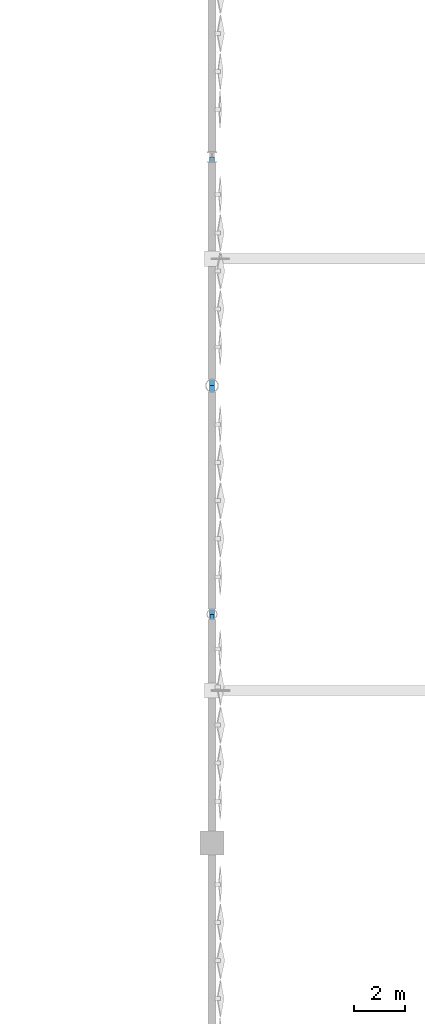
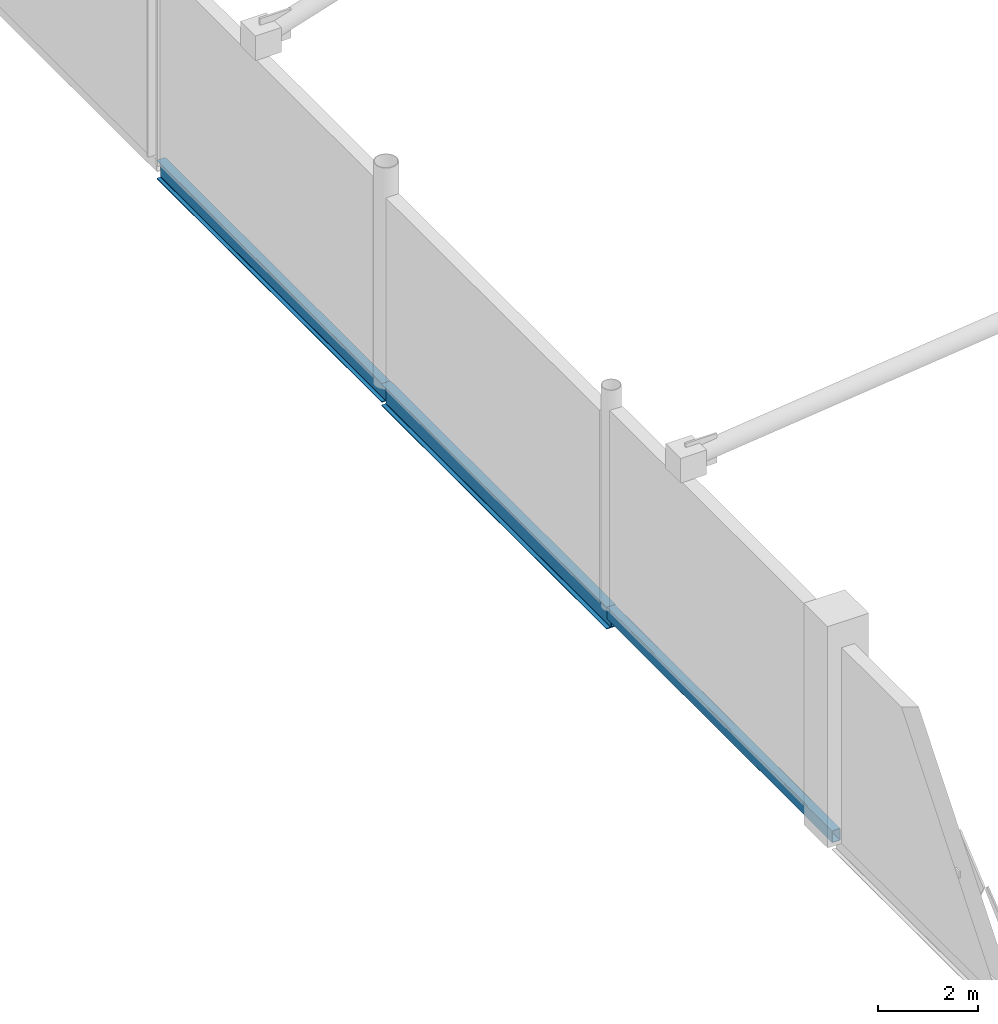
# One storey, part 36 of 119: 3 beams.
"""IFC4 building model written with IfcOpenShell, lengths in metres."""

from ifc_helpers import new_model, si_unit, direction, frame, origin, origin_2d, place, context, subcontext, project, spatial, hollow_rectangle, i_section, extrude, material, material_profile, profile_set, type_object, element, save


model = new_model("IFC4")

# Units and contexts
model_context = context("Model", 3, precision=1e-05, world=origin(), true_north=direction((0.0, 1.0)))
body_context = subcontext(model_context, "Body", "Model", "MODEL_VIEW")
ifc_project = project(units=[si_unit("LENGTHUNIT", "METRE"), si_unit("AREAUNIT", "SQUARE_METRE"), si_unit("VOLUMEUNIT", "CUBIC_METRE"), si_unit("PLANEANGLEUNIT", "RADIAN"), si_unit("MASSUNIT", "GRAM", prefix="KILO")], contexts=[model_context])

# Site, building, storey
site_placement = place(None, origin())
site = spatial("IfcSite", under=ifc_project, at=site_placement, CompositionType="ELEMENT")
building_placement = place(site_placement, origin())
building = spatial("IfcBuilding", under=site, at=building_placement, Name="Qamarlyn Nura Convention Centre", CompositionType="ELEMENT")
storey_placement = place(building_placement, frame((0.0, 0.0, 5.39990234375)))
storey = spatial("IfcBuildingStorey", under=building, at=storey_placement, Name="L01", CompositionType="ELEMENT", Elevation=5.39990234375)

# Beams
ifc_material_1 = material(Name="Steel ASTM A992", Category="steel")
ifc_material_profile_1 = material_profile(ifc_material_1, i_section(OverallWidth=0.193115234375, OverallDepth=0.466064453125, WebThickness=0.011474609375, FlangeThickness=0.01904296875, FilletRadius=0.012939453125, at=origin_2d()), Name="W460X97")
ifc_profile_set_1 = profile_set([ifc_material_profile_1], Name="Steel ASTM A992")
beam_type_1 = type_object("IfcBeamType", Name="BM-SPAN-460", PredefinedType="SPANDREL", material=ifc_profile_set_1)
beam_1_placement = place(storey_placement, frame((120.0, 81.0, -0.23291015625), z_axis=(0.0, 1.0, 0.0), x_axis=(-1.0, 0.0, 0.0)))
element("IfcBeam", 1, at=beam_1_placement, inside=storey, type_object=beam_type_1, Name="L01 girder 9 K-L", PredefinedType="SPANDREL", context=body_context, shape_type="SweptSolid", body=[
    extrude(i_section(OverallWidth=0.193115234375, OverallDepth=0.466064453125, WebThickness=0.011474609375, FlangeThickness=0.01904296875, FilletRadius=0.012939453125, at=origin_2d()), origin(), (0.0, 0.0, 1.0), 9.0),
])
ifc_material_profile_2 = material_profile(ifc_material_1, i_section(OverallWidth=0.2109375, OverallDepth=0.5390625, WebThickness=0.01171875, FlangeThickness=0.018798828125, FilletRadius=0.013916015625, at=origin_2d()), Name="W530X109")
ifc_profile_set_2 = profile_set([ifc_material_profile_2], Name="Steel ASTM A992")
beam_type_2 = type_object("IfcBeamType", Name="BM-SPAN-530", PredefinedType="SPANDREL", material=ifc_profile_set_2)
beam_2_placement = place(storey_placement, frame((120.0, 72.0, -0.269287109375), z_axis=(0.0, 1.0, 0.0), x_axis=(-1.0, 0.0, 0.0)))
element("IfcBeam", 2, at=beam_2_placement, inside=storey, type_object=beam_type_2, Name="L01 girder 9 J-K", PredefinedType="SPANDREL", context=body_context, shape_type="SweptSolid", body=[
    extrude(i_section(OverallWidth=0.2109375, OverallDepth=0.5390625, WebThickness=0.01171875, FlangeThickness=0.018798828125, FilletRadius=0.013916015625, at=origin_2d()), origin(), (0.0, 0.0, 1.0), 9.0),
])
ifc_material_2 = material(Name="Steel ASTM A500 Grade C", Category="steel")
ifc_material_profile_3 = material_profile(ifc_material_2, hollow_rectangle(XDim=0.199951171875, YDim=0.300048828125, WallThickness=0.012451171875, InnerFilletRadius=0.012451171875, OuterFilletRadius=0.02490234375, at=origin_2d()), Name="HSS300X200X12.5")
ifc_profile_set_3 = profile_set([ifc_material_profile_3], Name="Steel ASTM A500 Grade C")
beam_type_3 = type_object("IfcBeamType", Name="BM-SPAN-HSS", PredefinedType="SPANDREL", material=ifc_profile_set_3)
beam_3_placement = place(storey_placement, frame((120.0, 63.0, -0.14990234375), z_axis=(0.0, 1.0, 0.0), x_axis=(-1.0, 0.0, 0.0)))
element("IfcBeam", 3, at=beam_3_placement, inside=storey, type_object=beam_type_3, Name="L01 girder 9 H-J", PredefinedType="SPANDREL", context=body_context, shape_type="SweptSolid", body=[
    extrude(hollow_rectangle(XDim=0.199951171875, YDim=0.300048828125, WallThickness=0.012451171875, InnerFilletRadius=0.012451171875, OuterFilletRadius=0.02490234375, at=origin_2d()), origin(), (0.0, 0.0, 1.0), 9.0),
])

save(model, "model.ifc")
